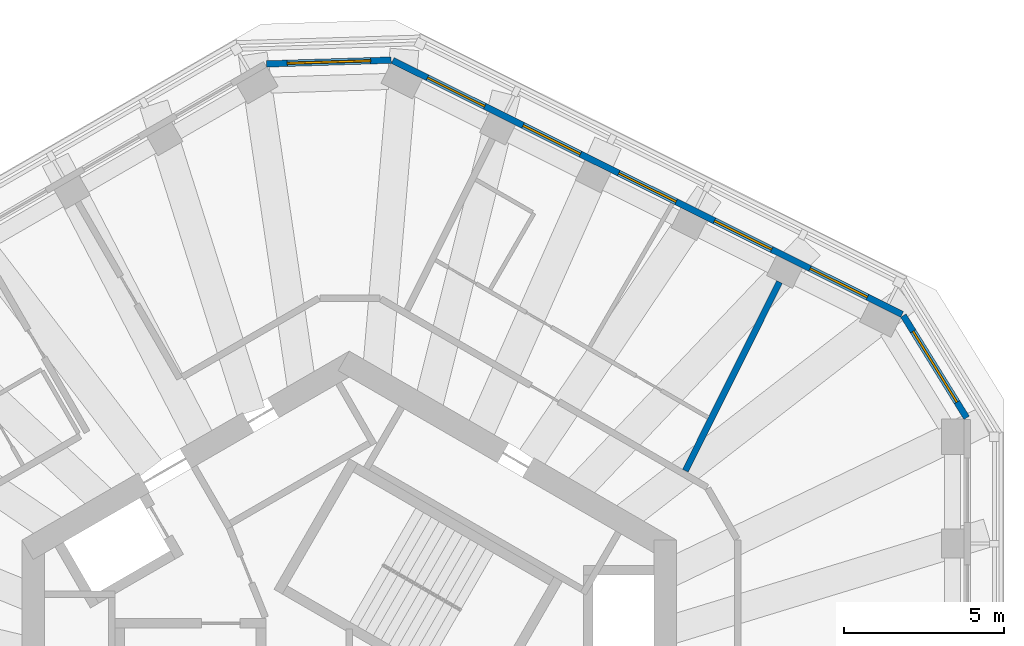
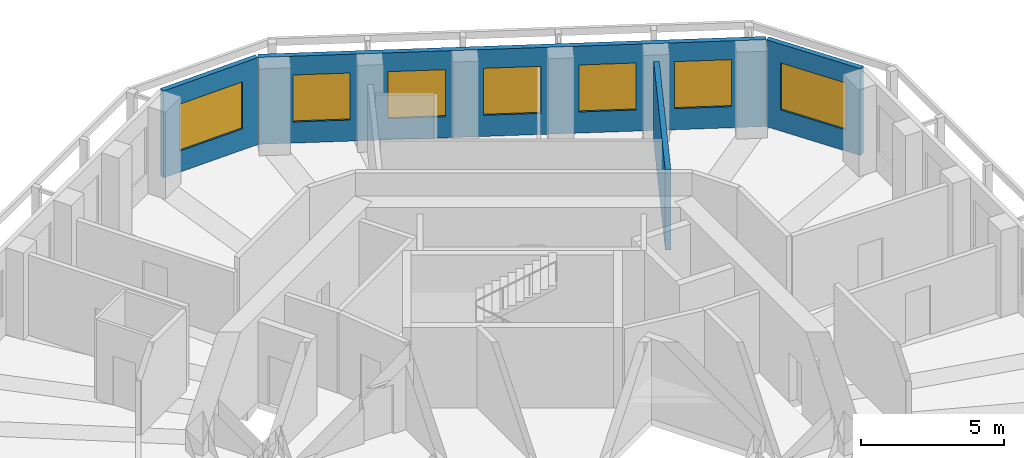
# One storey, part 8 of 11: 7 windows, 4 walls, 7 openings.
"""IFC4 building model written with IfcOpenShell, lengths in metres."""

from ifc_helpers import new_model, si_unit, direction, frame, frame_2d, origin, place, context, subcontext, project, spatial, rectangle, extrude, material, layer, layer_set, type_object, element, fill, save


model = new_model("IFC4")

# Units and contexts
model_context = context("Model", 3, precision=1e-05, world=origin(), true_north=direction((0.0, 1.0)))
body_context = subcontext(model_context, "Body", "Model", "MODEL_VIEW")
ifc_project = project(units=[si_unit("LENGTHUNIT", "METRE"), si_unit("AREAUNIT", "SQUARE_METRE"), si_unit("VOLUMEUNIT", "CUBIC_METRE"), si_unit("PLANEANGLEUNIT", "RADIAN"), si_unit("MASSUNIT", "GRAM", prefix="KILO")], contexts=[model_context])

# Site, building, storey
site_placement = place(None, origin())
site = spatial("IfcSite", under=ifc_project, at=site_placement, CompositionType="ELEMENT")
building_placement = place(site_placement, origin())
building = spatial("IfcBuilding", under=site, at=building_placement, Name="Vanh Sen Convention Tower", CompositionType="ELEMENT")
storey_placement = place(building_placement, frame((0.0, 0.0, 259.800048828125)))
storey = spatial("IfcBuildingStorey", under=building, at=storey_placement, Name="L64", CompositionType="ELEMENT", Elevation=259.800048828125)

# Wall, opening, window
ifc_material_1 = material(Name="Insulated lightweight infill wall")
ifc_layer_1 = layer(ifc_material_1, 0.199951171875)
ifc_layer_set_1 = layer_set([ifc_layer_1], Name="Insulated lightweight infill wall")
wall_type_1 = type_object("IfcWallType", Name="External wall 200", PredefinedType="STANDARD", material=ifc_layer_set_1)
wall_1_placement = place(storey_placement, frame((19.235107421875, 9.699951171875, 0.0), z_axis=(0.0, 0.0, 1.0), x_axis=(-0.526233475464, 0.850340125656, 0.0)))
wall_1 = element("IfcWall", 1, at=wall_1_placement, inside=storey, type_object=wall_type_1, Name="External wall CH1 L64", PredefinedType="STANDARD", context=body_context, shape_type="SweptSolid", body=[
    extrude(rectangle(XDim=3.746826171875, YDim=0.199951171875, at=frame_2d((1.87353515625, 0.0))), origin(), (0.0, 0.0, 1.0), 3.699951171875),
])
opening_1_placement = place(wall_1_placement, frame((0.573486328125, 0.0, 0.89990234375)))
opening_1 = element("IfcOpeningElement", 2, at=opening_1_placement, cuts=wall_1, Name="Opening WO6-CH11", PredefinedType="OPENING", context=body_context, shape_type="SweptSolid", body=[
    extrude(rectangle(XDim=2.60009765625, YDim=2.0, at=frame_2d((1.300048828125, 1.0))), frame((0.0, 0.10986328125, 0.0), z_axis=(0.0, -1.0, 0.0), x_axis=(1.0, 0.0, 0.0)), (0.0, 0.0, 1.0), 0.219970703125),
])
ifc_material_2 = material(Name="Aluminium frame with clear low-emissivity glass", Category="aluminium")
window_type_1 = type_object("IfcWindowType", Name="Office window 2600 x 2000", PartitioningType="SINGLE_PANEL", PredefinedType="WINDOW", material=ifc_material_2)
window_1_placement = place(opening_1_placement, origin())
window_1 = element("IfcWindow", 3, at=window_1_placement, inside=storey, type_object=window_type_1, Name="Window WO6-CH11", OverallHeight=2.0, OverallWidth=2.60009765625, PartitioningType="SINGLE_PANEL", PredefinedType="WINDOW", context=body_context, shape_type="SweptSolid", body=[
    extrude(rectangle(XDim=2.60009765625, YDim=2.0, at=frame_2d((1.300048828125, 1.0))), frame((0.0, 0.030029296875, 0.0), z_axis=(0.0, -1.0, 0.0), x_axis=(1.0, 0.0, 0.0)), (0.0, 0.0, 1.0), 0.06005859375),
])
fill(opening_1, window_1)

# Wall, openings, windows
wall_2_placement = place(storey_placement, frame((17.222900390625, 12.9228515625, 0.0), z_axis=(0.0, 0.0, 1.0), x_axis=(-0.894930561148, 0.44620543556, 0.0)))
wall_2 = element("IfcWall", 4, at=wall_2_placement, inside=storey, type_object=wall_type_1, Name="External wall NE L64", PredefinedType="STANDARD", context=body_context, shape_type="SweptSolid", body=[
    extrude(rectangle(XDim=17.7314453125, YDim=0.199951171875, at=frame_2d((8.86572265625, 0.0))), origin(), (0.0, 0.0, 1.0), 3.699951171875),
])
opening_2_placement = place(wall_2_placement, frame((1.20166015625, 0.0, 0.89990234375)))
opening_2 = element("IfcOpeningElement", 5, at=opening_2_placement, cuts=wall_2, Name="Opening WO5-NE1", PredefinedType="OPENING", context=body_context, shape_type="SweptSolid", body=[
    extrude(rectangle(XDim=2.0, YDim=2.0, at=frame_2d((1.0, 1.0))), frame((0.0, 0.10986328125, 0.0), z_axis=(0.0, -1.0, 0.0), x_axis=(1.0, 0.0, 0.0)), (0.0, 0.0, 1.0), 0.219970703125),
])
opening_3_placement = place(wall_2_placement, frame((4.533203125, 0.0, 0.89990234375)))
opening_3 = element("IfcOpeningElement", 6, at=opening_3_placement, cuts=wall_2, Name="Opening WO5-NE2", PredefinedType="OPENING", context=body_context, shape_type="SweptSolid", body=[
    extrude(rectangle(XDim=2.0, YDim=2.0, at=frame_2d((1.0, 1.0))), frame((0.0, 0.10986328125, 0.0), z_axis=(0.0, -1.0, 0.0), x_axis=(1.0, 0.0, 0.0)), (0.0, 0.0, 1.0), 0.219970703125),
])
opening_4_placement = place(wall_2_placement, frame((7.864990234375, 0.0, 0.89990234375)))
opening_4 = element("IfcOpeningElement", 7, at=opening_4_placement, cuts=wall_2, Name="Opening WO5-NE3", PredefinedType="OPENING", context=body_context, shape_type="SweptSolid", body=[
    extrude(rectangle(XDim=2.0, YDim=2.0, at=frame_2d((1.0, 1.0))), frame((0.0, 0.10986328125, 0.0), z_axis=(0.0, -1.0, 0.0), x_axis=(1.0, 0.0, 0.0)), (0.0, 0.0, 1.0), 0.219970703125),
])
opening_5_placement = place(wall_2_placement, frame((11.196533203125, 0.0, 0.89990234375)))
opening_5 = element("IfcOpeningElement", 8, at=opening_5_placement, cuts=wall_2, Name="Opening WO5-NE4", PredefinedType="OPENING", context=body_context, shape_type="SweptSolid", body=[
    extrude(rectangle(XDim=2.0, YDim=2.0, at=frame_2d((1.0, 1.0))), frame((0.0, 0.10986328125, 0.0), z_axis=(0.0, -1.0, 0.0), x_axis=(1.0, 0.0, 0.0)), (0.0, 0.0, 1.0), 0.219970703125),
])
opening_6_placement = place(wall_2_placement, frame((14.5283203125, 0.0, 0.89990234375)))
opening_6 = element("IfcOpeningElement", 9, at=opening_6_placement, cuts=wall_2, Name="Opening WO5-NE5", PredefinedType="OPENING", context=body_context, shape_type="SweptSolid", body=[
    extrude(rectangle(XDim=2.0, YDim=2.0, at=frame_2d((1.0, 1.0))), frame((0.0, 0.10986328125, 0.0), z_axis=(0.0, -1.0, 0.0), x_axis=(1.0, 0.0, 0.0)), (0.0, 0.0, 1.0), 0.219970703125),
])
window_type_2 = type_object("IfcWindowType", Name="Office window 2000 x 2000", PartitioningType="SINGLE_PANEL", PredefinedType="WINDOW", material=ifc_material_2)
window_2_placement = place(opening_2_placement, origin())
window_2 = element("IfcWindow", 10, at=window_2_placement, inside=storey, type_object=window_type_2, Name="Window WO5-NE1", OverallHeight=2.0, OverallWidth=2.0, PartitioningType="SINGLE_PANEL", PredefinedType="WINDOW", context=body_context, shape_type="SweptSolid", body=[
    extrude(rectangle(XDim=2.0, YDim=2.0, at=frame_2d((1.0, 1.0))), frame((0.0, 0.030029296875, 0.0), z_axis=(0.0, -1.0, 0.0), x_axis=(1.0, 0.0, 0.0)), (0.0, 0.0, 1.0), 0.06005859375),
])
fill(opening_2, window_2)
window_3_placement = place(opening_3_placement, origin())
window_3 = element("IfcWindow", 11, at=window_3_placement, inside=storey, type_object=window_type_2, Name="Window WO5-NE2", OverallHeight=2.0, OverallWidth=2.0, PartitioningType="SINGLE_PANEL", PredefinedType="WINDOW", context=body_context, shape_type="SweptSolid", body=[
    extrude(rectangle(XDim=2.0, YDim=2.0, at=frame_2d((1.0, 1.0))), frame((0.0, 0.030029296875, 0.0), z_axis=(0.0, -1.0, 0.0), x_axis=(1.0, 0.0, 0.0)), (0.0, 0.0, 1.0), 0.06005859375),
])
fill(opening_3, window_3)
window_4_placement = place(opening_4_placement, origin())
window_4 = element("IfcWindow", 12, at=window_4_placement, inside=storey, type_object=window_type_2, Name="Window WO5-NE3", OverallHeight=2.0, OverallWidth=2.0, PartitioningType="SINGLE_PANEL", PredefinedType="WINDOW", context=body_context, shape_type="SweptSolid", body=[
    extrude(rectangle(XDim=2.0, YDim=2.0, at=frame_2d((1.0, 1.0))), frame((0.0, 0.030029296875, 0.0), z_axis=(0.0, -1.0, 0.0), x_axis=(1.0, 0.0, 0.0)), (0.0, 0.0, 1.0), 0.06005859375),
])
fill(opening_4, window_4)
window_5_placement = place(opening_5_placement, origin())
window_5 = element("IfcWindow", 13, at=window_5_placement, inside=storey, type_object=window_type_2, Name="Window WO5-NE4", OverallHeight=2.0, OverallWidth=2.0, PartitioningType="SINGLE_PANEL", PredefinedType="WINDOW", context=body_context, shape_type="SweptSolid", body=[
    extrude(rectangle(XDim=2.0, YDim=2.0, at=frame_2d((1.0, 1.0))), frame((0.0, 0.030029296875, 0.0), z_axis=(0.0, -1.0, 0.0), x_axis=(1.0, 0.0, 0.0)), (0.0, 0.0, 1.0), 0.06005859375),
])
fill(opening_5, window_5)
window_6_placement = place(opening_6_placement, origin())
window_6 = element("IfcWindow", 14, at=window_6_placement, inside=storey, type_object=window_type_2, Name="Window WO5-NE5", OverallHeight=2.0, OverallWidth=2.0, PartitioningType="SINGLE_PANEL", PredefinedType="WINDOW", context=body_context, shape_type="SweptSolid", body=[
    extrude(rectangle(XDim=2.0, YDim=2.0, at=frame_2d((1.0, 1.0))), frame((0.0, 0.030029296875, 0.0), z_axis=(0.0, -1.0, 0.0), x_axis=(1.0, 0.0, 0.0)), (0.0, 0.0, 1.0), 0.06005859375),
])
fill(opening_6, window_6)

# Wall, opening, window
wall_3_placement = place(storey_placement, frame((1.306884765625, 20.84521484375, 0.0), z_axis=(0.0, 0.0, 1.0), x_axis=(-0.999533654813, -0.030536419175, 0.0)))
wall_3 = element("IfcWall", 15, at=wall_3_placement, inside=storey, type_object=wall_type_1, Name="External wall CH2 L64", PredefinedType="STANDARD", context=body_context, shape_type="SweptSolid", body=[
    extrude(rectangle(XDim=3.885498046875, YDim=0.199951171875, at=frame_2d((1.94287109375, 0.0))), origin(), (0.0, 0.0, 1.0), 3.699951171875),
])
opening_7_placement = place(wall_3_placement, frame((0.642822265625, 0.0, 0.89990234375)))
opening_7 = element("IfcOpeningElement", 16, at=opening_7_placement, cuts=wall_3, Name="Opening WO6-CH21", PredefinedType="OPENING", context=body_context, shape_type="SweptSolid", body=[
    extrude(rectangle(XDim=2.60009765625, YDim=2.0, at=frame_2d((1.300048828125, 1.0))), frame((0.0, 0.10986328125, 0.0), z_axis=(0.0, -1.0, 0.0), x_axis=(1.0, 0.0, 0.0)), (0.0, 0.0, 1.0), 0.219970703125),
])
window_7_placement = place(opening_7_placement, origin())
window_7 = element("IfcWindow", 17, at=window_7_placement, inside=storey, type_object=window_type_1, Name="Window WO6-CH21", OverallHeight=2.0, OverallWidth=2.60009765625, PartitioningType="SINGLE_PANEL", PredefinedType="WINDOW", context=body_context, shape_type="SweptSolid", body=[
    extrude(rectangle(XDim=2.60009765625, YDim=2.0, at=frame_2d((1.300048828125, 1.0))), frame((0.0, 0.030029296875, 0.0), z_axis=(0.0, -1.0, 0.0), x_axis=(1.0, 0.0, 0.0)), (0.0, 0.0, 1.0), 0.06005859375),
])
fill(opening_7, window_7)

# Wall
ifc_material_3 = material(Name="Gypsum board on steel studs with mineral wool", Category="steel")
ifc_layer_2 = layer(ifc_material_3, 0.199951171875)
ifc_layer_set_2 = layer_set([ifc_layer_2], Name="Gypsum board on steel studs with mineral wool")
wall_type_2 = type_object("IfcWallType", Name="Tenant suite wall 200", PredefinedType="PARTITIONING", material=ifc_layer_set_2)
wall_4_placement = place(storey_placement, frame((13.40478515625, 13.9326171875, 0.0), z_axis=(0.0, 0.0, 1.0), x_axis=(-0.446187838644, -0.894939334618, 0.0)))
element("IfcWall", 18, at=wall_4_placement, inside=storey, type_object=wall_type_2, Name="Tenant suite wall 200", PredefinedType="PARTITIONING", context=body_context, shape_type="SweptSolid", body=[
    extrude(rectangle(XDim=6.571044921875, YDim=0.199951171875, at=frame_2d((3.28564453125, 0.0))), origin(), (0.0, 0.0, 1.0), 3.419921875),
])

save(model, "model.ifc")
